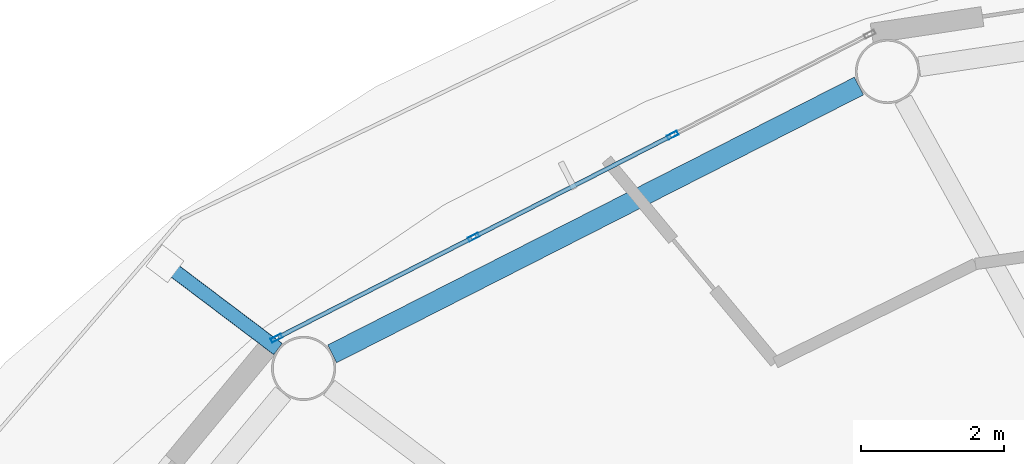
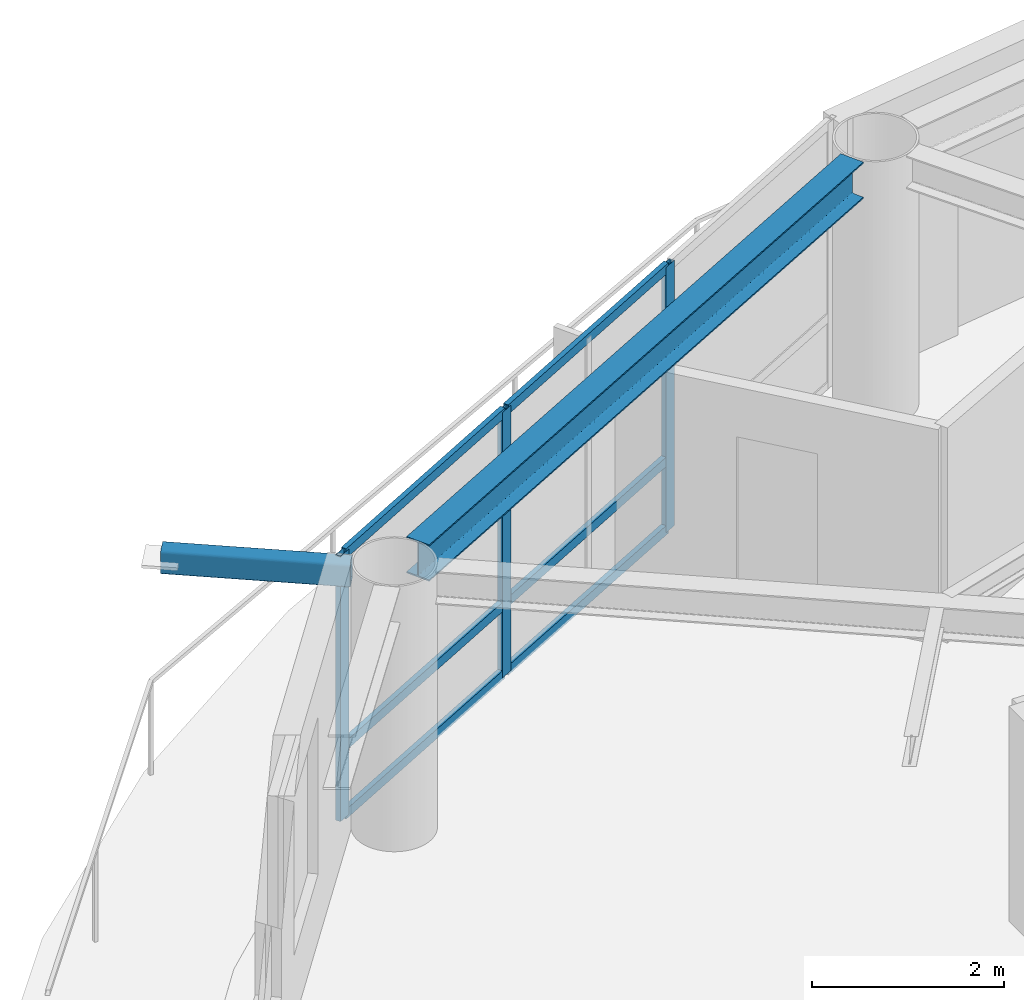
# One storey, part 8 of 22: 10 members, 1 beam, 1 element without a shape of its own.
"""IFC4 building model written with IfcOpenShell, lengths in metres."""

import ifcopenshell
import ifcopenshell.guid

model = None  # the IFC model being written
_history = None  # IfcOwnerHistory: only IFC2X3 demands one
_inside = {}  # id of a spatial element -> (the spatial element, [elements in it])
_under = {}  # id of a project, library or spatial element -> (it, [spatial elements below it])
_declared = {}  # id of a project -> (the project, [libraries it declares])
_typed = {}  # id of a type object -> (the type object, [elements of that type])
_made_of = {}  # id of a material, layer set ... -> (it, [elements and type objects made of it])


def new_model(schema):
    """Start an empty IFC model of exactly this schema.

    Asked for "IFC4X3", IfcOpenShell would pick the latest addendum, in which some entities
    have other attributes; the version numbers below select the first issue.
    IFC2X3 requires an IfcOwnerHistory on every rooted entity: one is made here for all.
    """
    global model, _history
    if schema == "IFC4X3":
        model = ifcopenshell.file(schema_version=(4, 3, 0, 0))
    else:
        model = ifcopenshell.file(schema=schema)
    _inside.clear()
    _under.clear()
    _declared.clear()
    _typed.clear()
    _made_of.clear()
    _history = None
    if model.schema == "IFC2X3":
        org = make("IfcOrganization", Name="unknown")
        user = make(
            "IfcPersonAndOrganization",
            ThePerson=make("IfcPerson", FamilyName="unknown"),
            TheOrganization=org,
        )
        app = make(
            "IfcApplication",
            ApplicationDeveloper=org,
            Version="unknown",
            ApplicationFullName="unknown",
            ApplicationIdentifier="unknown",
        )
        _history = make(
            "IfcOwnerHistory",
            OwningUser=user,
            OwningApplication=app,
            ChangeAction="ADDED",
            CreationDate=0,
        )
    return model


def make(cls, **values):
    """One entity of the class cls with the attributes given. An attribute that is None is left unset."""
    return model.create_entity(
        cls, **{name: value for name, value in values.items() if value is not None}
    )


def rooted(cls, **values):
    """An entity with a GlobalId (a new one), such as an element, a storey or a relation."""
    return make(cls, GlobalId=ifcopenshell.guid.new(), OwnerHistory=_history, **values)


def si_unit(unit_type, name, prefix=None):
    """IfcSIUnit, for example si_unit("LENGTHUNIT", "METRE", prefix="MILLI")."""
    return make("IfcSIUnit", UnitType=unit_type, Prefix=prefix, Name=name)


def assignment(units):
    """IfcUnitAssignment: the units of a project."""
    return None if units is None else make("IfcUnitAssignment", Units=units)


def point(xyz):
    """IfcCartesianPoint."""
    return None if xyz is None else make("IfcCartesianPoint", Coordinates=xyz)


def direction(xyz):
    """IfcDirection."""
    return None if xyz is None else make("IfcDirection", DirectionRatios=xyz)


def frame(location, z_axis=None, x_axis=None):
    """IfcAxis2Placement3D, a coordinate frame: its origin and axes. An axis left out is left unset."""
    return make(
        "IfcAxis2Placement3D",
        Location=point(location),
        Axis=direction(z_axis),
        RefDirection=direction(x_axis),
    )


def frame_2d(location, x_axis=None):
    """IfcAxis2Placement2D, a coordinate frame in the plane: its origin and x axis."""
    return make(
        "IfcAxis2Placement2D", Location=point(location), RefDirection=direction(x_axis)
    )


def origin():
    """The frame at (0, 0, 0) with its axes left unset."""
    return frame((0.0, 0.0, 0.0))


def origin_2d():
    """The frame at (0, 0) in the plane with its x axis left unset."""
    return frame_2d((0.0, 0.0))


def place(relative_to, where):
    """IfcLocalPlacement: puts the frame where relative to a parent placement (None: the world)."""
    return make(
        "IfcLocalPlacement", PlacementRelTo=relative_to, RelativePlacement=where
    )


def context(
    kind, dimensions, precision=None, world=None, true_north=None, identifier=None
):
    """IfcGeometricRepresentationContext, for example the 3D "Model" context."""
    return make(
        "IfcGeometricRepresentationContext",
        ContextIdentifier=identifier,
        ContextType=kind,
        CoordinateSpaceDimension=dimensions,
        Precision=precision,
        WorldCoordinateSystem=world,
        TrueNorth=true_north,
    )


def subcontext(parent, identifier, kind, view, scale=None):
    """IfcGeometricRepresentationSubContext, for example "Body" below "Model"."""
    return make(
        "IfcGeometricRepresentationSubContext",
        ContextIdentifier=identifier,
        ContextType=kind,
        ParentContext=parent,
        TargetScale=scale,
        TargetView=view,
    )


def project(units=None, contexts=None):
    """IfcProject with its units and contexts."""
    return rooted(
        "IfcProject",
        Name="project",
        RepresentationContexts=contexts,
        UnitsInContext=assignment(units),
    )


def spatial(cls, under=None, at=None, **own):
    """A site, building, storey or space (cls), placed at a placement, below another one or the project."""
    s = rooted(cls, ObjectPlacement=at, **own)
    if under is not None:
        _under.setdefault(under.id(), (under, []))[1].append(s)
    return s


def profile(cls, at=None, kind="AREA", **sizes):
    """A parametric profile (cls). Its sizes go by their IFC names, for example OverallWidth=200.0."""
    return make(cls, ProfileType=kind, Position=at, **sizes)


def hollow_rectangle(**sizes):
    """IfcRectangleHollowProfileDef."""
    return profile("IfcRectangleHollowProfileDef", **sizes)


def i_section(**sizes):
    """IfcIShapeProfileDef."""
    return profile("IfcIShapeProfileDef", **sizes)


def extrude(swept, where, along, depth):
    """IfcExtrudedAreaSolid: the profile swept, set in the frame where, extruded along a direction by depth."""
    return make(
        "IfcExtrudedAreaSolid",
        SweptArea=swept,
        Position=where,
        ExtrudedDirection=direction(along),
        Depth=depth,
    )


def shape(context_of_items, identifier, shape_type, items):
    """IfcShapeRepresentation: the items that make up one representation, for example the "Body"."""
    return make(
        "IfcShapeRepresentation",
        ContextOfItems=context_of_items,
        RepresentationIdentifier=identifier,
        RepresentationType=shape_type,
        Items=items,
    )


def material(Name=None, Category=None):
    """IfcMaterial."""
    return make("IfcMaterial", Name=Name, Category=Category)


def layer(
    of_material, thickness, ventilated=None, Name=None, Category=None, Priority=None
):
    """IfcMaterialLayer: one layer of a wall or slab, of a material (None: an air gap)."""
    return make(
        "IfcMaterialLayer",
        Material=of_material,
        LayerThickness=thickness,
        IsVentilated=ventilated,
        Name=Name,
        Category=Category,
        Priority=Priority,
    )


def layer_set(layers, Name=None):
    """IfcMaterialLayerSet."""
    return make("IfcMaterialLayerSet", MaterialLayers=layers, LayerSetName=Name)


def material_profile(
    of_material, cross_section, Name=None, Category=None, Priority=None
):
    """IfcMaterialProfile: a cross section and its material."""
    return make(
        "IfcMaterialProfile",
        Name=Name,
        Material=of_material,
        Profile=cross_section,
        Priority=Priority,
        Category=Category,
    )


def profile_set(profiles, Name=None, composite=None):
    """IfcMaterialProfileSet."""
    return make(
        "IfcMaterialProfileSet",
        Name=Name,
        MaterialProfiles=profiles,
        CompositeProfile=composite,
    )


def made_of(thing, what):
    """Note that an element or type object is made of a material, layer set ...; save() writes the relation."""
    if what is not None:
        _made_of.setdefault(what.id(), (what, []))[1].append(thing)
    return thing


def type_object(cls, material=None, **own):
    """A type object (cls), such as IfcWallType, which elements share."""
    return made_of(rooted(cls, **own), material)


def element(
    cls,
    number,
    at=None,
    inside=None,
    cuts=None,
    type_object=None,
    material=None,
    context=None,
    identifier="Body",
    shape_type=None,
    held_by="IfcProductDefinitionShape",
    body=None,
    shapes=None,
    **own,
):
    """One element of the class cls, such as IfcWall. Its Tag is "e" and its number.

    at: its placement. inside: the storey or other place that contains it. cuts: it is an
    opening in that element (IfcRelVoidsElement). A single representation is given by context,
    identifier, shape_type and body (its items); several are given by shapes. held_by: the class
    of the entity that holds the representations. save() writes the other relations.
    """
    e = rooted(cls, Tag="e%d" % number, ObjectPlacement=at, **own)
    if body is not None:
        shapes = [shape(context, identifier, shape_type, body)]
    if shapes is not None:
        e.Representation = make(held_by, Representations=shapes)
    if inside is not None:
        _inside.setdefault(inside.id(), (inside, []))[1].append(e)
    if cuts is not None:
        rooted(
            "IfcRelVoidsElement", RelatingBuildingElement=cuts, RelatedOpeningElement=e
        )
    if type_object is not None:
        _typed.setdefault(type_object.id(), (type_object, []))[1].append(e)
    return made_of(e, material)


def aggregate(whole, parts):
    """IfcRelAggregates: a whole, such as a stair, and the parts it consists of."""
    return rooted("IfcRelAggregates", RelatingObject=whole, RelatedObjects=parts)


def save(model, path):
    """Write the relations noted so far, then the file.

    IfcRelAggregates (storeys below a building ...), IfcRelContainedInSpatialStructure (elements
    in a storey), IfcRelDefinesByType, IfcRelAssociatesMaterial and IfcRelDeclares: one each for
    every whole, place, type object, material and project.
    """
    for whole, parts in _under.values():
        aggregate(whole, parts)
    for where, things in _inside.values():
        rooted(
            "IfcRelContainedInSpatialStructure",
            RelatedElements=things,
            RelatingStructure=where,
        )
    for kind, things in _typed.values():
        rooted("IfcRelDefinesByType", RelatedObjects=things, RelatingType=kind)
    for what, things in _made_of.values():
        rooted("IfcRelAssociatesMaterial", RelatedObjects=things, RelatingMaterial=what)
    for by, libraries in _declared.values():
        rooted("IfcRelDeclares", RelatingContext=by, RelatedDefinitions=libraries)
    model.write(path)


model = new_model("IFC4")

# Units and contexts
model_context = context("Model", 3, precision=1e-05, world=origin(), true_north=direction((0.0, 1.0)))
body_context = subcontext(model_context, "Body", "Model", "MODEL_VIEW")
ifc_project = project(units=[si_unit("LENGTHUNIT", "METRE"), si_unit("AREAUNIT", "SQUARE_METRE"), si_unit("VOLUMEUNIT", "CUBIC_METRE"), si_unit("PLANEANGLEUNIT", "RADIAN"), si_unit("MASSUNIT", "GRAM", prefix="KILO")], contexts=[model_context])

# Site, building, storey
site_placement = place(None, origin())
site = spatial("IfcSite", under=ifc_project, at=site_placement, CompositionType="ELEMENT")
building_placement = place(site_placement, origin())
building = spatial("IfcBuilding", under=site, at=building_placement, Name="Sarneth Arch Tower", CompositionType="ELEMENT")
storey_placement = place(building_placement, frame((0.0, 0.0, 294.60009765625)))
storey = spatial("IfcBuildingStorey", under=building, at=storey_placement, Name="L76", CompositionType="ELEMENT", Elevation=294.60009765625)

# Beam
ifc_material_1 = material(Name="Steel S355", Category="steel")
ifc_material_profile_1 = material_profile(ifc_material_1, i_section(OverallWidth=0.280029296875, OverallDepth=0.462890625, WebThickness=0.0107421875, FlangeThickness=0.017333984375, FilletRadius=0.01806640625, at=origin_2d()), Name="W460x113")
ifc_profile_set_1 = profile_set([ifc_material_profile_1], Name="Steel S355")
beam_type = type_object("IfcBeamType", Name="BM-RAD-460A", PredefinedType="BEAM", material=ifc_profile_set_1)
beam_placement = place(storey_placement, frame((37.80810546875, 59.534423828125, 3.138427734375), z_axis=(-0.891376248079, -0.453264144138, 0.0), x_axis=(0.453264144138, -0.891376248079, 0.0)))
element("IfcBeam", 1, at=beam_placement, inside=storey, type_object=beam_type, Name="L76 Perimeter spandrel beam 06", PredefinedType="BEAM", context=body_context, shape_type="SweptSolid", body=[
    extrude(i_section(OverallWidth=0.280029296875, OverallDepth=0.462890625, WebThickness=0.0107421875, FlangeThickness=0.017333984375, FilletRadius=0.01806640625, at=origin_2d()), origin(), (0.0, 0.0, 1.0), 8.281982421875),
])

# Curtain wall, members
ifc_material_2 = material(Name="Anodised aluminium Type AA25 and solar-control low-e laminated IGU", Category="aluminium")
ifc_layer = layer(ifc_material_2, 0.179931640625)
ifc_layer_set = layer_set([ifc_layer], Name="Anodised aluminium Type AA25 and solar-control low-e laminated IGU")
curtain_wall_type = type_object("IfcCurtainWallType", Name="CW-RES-HIGH", PredefinedType="NOTDEFINED", material=ifc_layer_set)
curtain_wall_placement = place(storey_placement, origin())
curtain_wall = element("IfcCurtainWall", 2, at=curtain_wall_placement, inside=storey, type_object=curtain_wall_type, Name="L76 Unitised curtain wall facet 06", PredefinedType="NOTDEFINED")
ifc_material_3 = material(Name="Anodised Aluminium 6063-T6", Category="aluminium")
ifc_material_profile_2 = material_profile(ifc_material_3, hollow_rectangle(XDim=0.06005859375, YDim=0.159912109375, WallThickness=0.00390625, at=origin_2d()), Name="AL-MULL-160x60x4")
ifc_profile_set_2 = profile_set([ifc_material_profile_2], Name="Anodised Aluminium 6063-T6")
member_type_1 = type_object("IfcMemberType", Name="CW-MULLION", PredefinedType="MULLION", material=ifc_profile_set_2)
member_1_placement = place(storey_placement, frame((35.197509765625, 58.844970703125, 0.0), z_axis=(0.0, 0.0, 1.0), x_axis=(0.455941901753, -0.890009540525, 0.0)))
member_1 = element("IfcMember", 3, at=member_1_placement, type_object=member_type_1, Name="CW-SYS-6 mullion 2", PredefinedType="MULLION", context=body_context, shape_type="SweptSolid", body=[
    extrude(hollow_rectangle(XDim=0.06005859375, YDim=0.159912109375, WallThickness=0.00390625, at=origin_2d()), origin(), (0.0, 0.0, 1.0), 3.369873046875),
])
member_2_placement = place(storey_placement, frame((32.407470703125, 57.415771484375, 0.0), z_axis=(0.0, 0.0, 1.0), x_axis=(0.455941901753, -0.890009540525, 0.0)))
member_2 = element("IfcMember", 4, at=member_2_placement, type_object=member_type_1, Name="CW-SYS-6 mullion 3", PredefinedType="MULLION", context=body_context, shape_type="SweptSolid", body=[
    extrude(hollow_rectangle(XDim=0.06005859375, YDim=0.159912109375, WallThickness=0.00390625, at=origin_2d()), origin(), (0.0, 0.0, 1.0), 3.369873046875),
])
member_3_placement = place(storey_placement, frame((29.644287109375, 56.000244140625, 0.0), z_axis=(0.0, 0.0, 1.0), x_axis=(0.455941901753, -0.890009540525, 0.0)))
member_3 = element("IfcMember", 5, at=member_3_placement, type_object=member_type_1, Name="CW-SYS-6 mullion 4", PredefinedType="MULLION", context=body_context, shape_type="SweptSolid", body=[
    extrude(hollow_rectangle(XDim=0.06005859375, YDim=0.159912109375, WallThickness=0.00390625, at=origin_2d()), origin(), (0.0, 0.0, 1.0), 3.369873046875),
])
ifc_material_4 = material(Name="Anodised Aluminium 6063-T6", Category="aluminium")
ifc_material_profile_3 = material_profile(ifc_material_4, hollow_rectangle(XDim=0.06005859375, YDim=0.1201171875, WallThickness=0.00390625, at=origin_2d()), Name="AL-TRAN-120x60x4")
ifc_profile_set_3 = profile_set([ifc_material_profile_3], Name="Anodised Aluminium 6063-T6")
member_type_2 = type_object("IfcMemberType", Name="CW-TRANSOM", PredefinedType="USERDEFINED", material=ifc_profile_set_3)
member_4_placement = place(storey_placement, frame((35.170654296875, 58.831298828125, 0.02978515625), z_axis=(-0.890017432405, -0.455926496286, 0.0), x_axis=(0.455926496286, -0.890017432405, 0.0)))
member_4 = element("IfcMember", 6, at=member_4_placement, type_object=member_type_2, Name="CW-SYS-6 transom 2.1", ObjectType="TRANSOM", PredefinedType="USERDEFINED", context=body_context, shape_type="SweptSolid", body=[
    extrude(hollow_rectangle(XDim=0.06005859375, YDim=0.1201171875, WallThickness=0.00390625, at=origin_2d()), origin(), (0.0, 0.0, 1.0), 3.07470703125),
])
member_5_placement = place(storey_placement, frame((35.170654296875, 58.831298828125, 0.89990234375), z_axis=(-0.890017432405, -0.455926496286, 0.0), x_axis=(0.455926496286, -0.890017432405, 0.0)))
member_5 = element("IfcMember", 7, at=member_5_placement, type_object=member_type_2, Name="CW-SYS-6 transom 2.2", ObjectType="TRANSOM", PredefinedType="USERDEFINED", context=body_context, shape_type="SweptSolid", body=[
    extrude(hollow_rectangle(XDim=0.06005859375, YDim=0.1201171875, WallThickness=0.00390625, at=origin_2d()), origin(), (0.0, 0.0, 1.0), 3.07470703125),
])
member_6_placement = place(storey_placement, frame((35.170654296875, 58.831298828125, 3.33984375), z_axis=(-0.890017432405, -0.455926496286, 0.0), x_axis=(0.455926496286, -0.890017432405, 0.0)))
member_6 = element("IfcMember", 8, at=member_6_placement, type_object=member_type_2, Name="CW-SYS-6 transom 2.3", ObjectType="TRANSOM", PredefinedType="USERDEFINED", context=body_context, shape_type="SweptSolid", body=[
    extrude(hollow_rectangle(XDim=0.06005859375, YDim=0.1201171875, WallThickness=0.00390625, at=origin_2d()), origin(), (0.0, 0.0, 1.0), 3.07470703125),
])
member_7_placement = place(storey_placement, frame((32.380859375, 57.402099609375, 0.02978515625), z_axis=(-0.890022732705, -0.455916149384, 0.0), x_axis=(0.455916149384, -0.890022732705, 0.0)))
member_7 = element("IfcMember", 9, at=member_7_placement, type_object=member_type_2, Name="CW-SYS-6 transom 3.1", ObjectType="TRANSOM", PredefinedType="USERDEFINED", context=body_context, shape_type="SweptSolid", body=[
    extrude(hollow_rectangle(XDim=0.06005859375, YDim=0.1201171875, WallThickness=0.00390625, at=origin_2d()), origin(), (0.0, 0.0, 1.0), 3.044921875),
])
member_8_placement = place(storey_placement, frame((32.380859375, 57.402099609375, 0.89990234375), z_axis=(-0.890022732705, -0.455916149384, 0.0), x_axis=(0.455916149384, -0.890022732705, 0.0)))
member_8 = element("IfcMember", 10, at=member_8_placement, type_object=member_type_2, Name="CW-SYS-6 transom 3.2", ObjectType="TRANSOM", PredefinedType="USERDEFINED", context=body_context, shape_type="SweptSolid", body=[
    extrude(hollow_rectangle(XDim=0.06005859375, YDim=0.1201171875, WallThickness=0.00390625, at=origin_2d()), origin(), (0.0, 0.0, 1.0), 3.044921875),
])
member_9_placement = place(storey_placement, frame((32.380859375, 57.402099609375, 3.33984375), z_axis=(-0.890022732705, -0.455916149384, 0.0), x_axis=(0.455916149384, -0.890022732705, 0.0)))
member_9 = element("IfcMember", 11, at=member_9_placement, type_object=member_type_2, Name="CW-SYS-6 transom 3.3", ObjectType="TRANSOM", PredefinedType="USERDEFINED", context=body_context, shape_type="SweptSolid", body=[
    extrude(hollow_rectangle(XDim=0.06005859375, YDim=0.1201171875, WallThickness=0.00390625, at=origin_2d()), origin(), (0.0, 0.0, 1.0), 3.044921875),
])
aggregate(curtain_wall, [member_1, member_2, member_3, member_4, member_5, member_6, member_7, member_8, member_9])

# Member
ifc_material_5 = material(Name="Steel S355", Category="steel")
ifc_material_profile_4 = material_profile(ifc_material_5, hollow_rectangle(XDim=0.199951171875, YDim=0.300048828125, WallThickness=0.012451171875, InnerFilletRadius=0.018798828125, OuterFilletRadius=0.03125, at=origin_2d()), Name="RHS300x200x12.5")
ifc_profile_set_4 = profile_set([ifc_material_profile_4], Name="Steel S355")
member_type_3 = type_object("IfcMemberType", Name="MEM-CANT-STRUT", PredefinedType="STRUT", material=ifc_profile_set_4)
member_10_placement = place(storey_placement, frame((29.665771484375, 55.84765625, 3.2099609375), z_axis=(-0.797960563067, 0.60270966459, 0.0), x_axis=(-0.60270966459, -0.797960563067, 0.0)))
element("IfcMember", 12, at=member_10_placement, inside=storey, type_object=member_type_3, Name="L76 Balcony cantilever bracket 07", PredefinedType="STRUT", context=body_context, shape_type="SweptSolid", body=[
    extrude(hollow_rectangle(XDim=0.199951171875, YDim=0.300048828125, WallThickness=0.012451171875, InnerFilletRadius=0.018798828125, OuterFilletRadius=0.03125, at=origin_2d()), origin(), (0.0, 0.0, 1.0), 1.98681640625),
])

save(model, "model.ifc")
